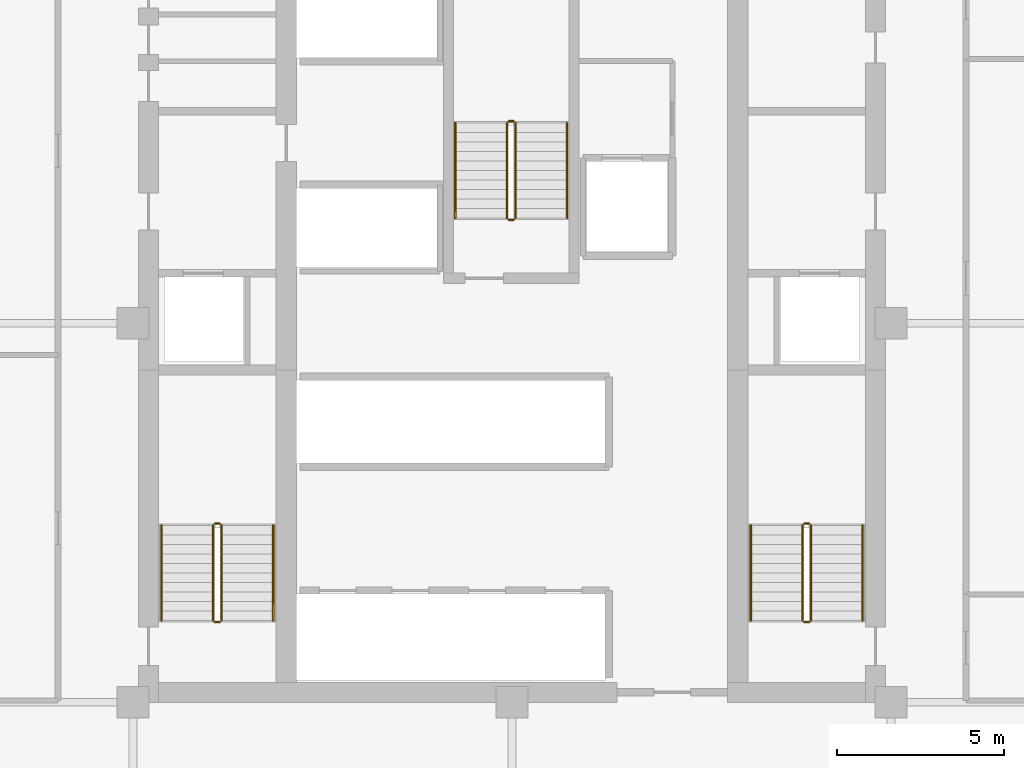
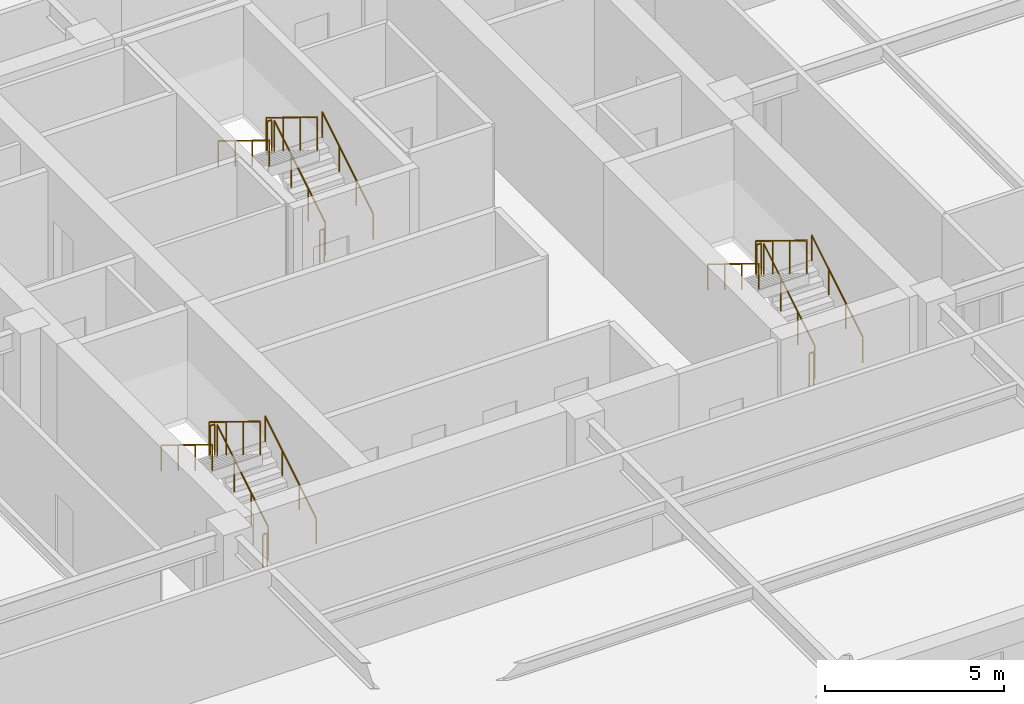
# One storey, part 9 of 9: 18 railings.
"""IFC4 building model written with IfcOpenShell, lengths in metres."""

from ifc_helpers import new_model, si_unit, direction, frame, origin, origin_2d, place, context, subcontext, project, spatial, circle, extrude, material, type_object, element, save


model = new_model("IFC4")

# Units and contexts
model_context = context("Model", 3, precision=1e-05, world=origin(), true_north=direction((0.0, 1.0)))
body_context = subcontext(model_context, "Body", "Model", "MODEL_VIEW")
ifc_project = project(units=[si_unit("LENGTHUNIT", "METRE"), si_unit("AREAUNIT", "SQUARE_METRE"), si_unit("VOLUMEUNIT", "CUBIC_METRE"), si_unit("PLANEANGLEUNIT", "RADIAN"), si_unit("MASSUNIT", "GRAM", prefix="KILO")], contexts=[model_context])

# Site, building, storey
site_placement = place(None, origin())
site = spatial("IfcSite", under=ifc_project, at=site_placement, CompositionType="ELEMENT")
building_placement = place(site_placement, origin())
building = spatial("IfcBuilding", under=site, at=building_placement, Name="Nhamokura Convention Tower", CompositionType="ELEMENT")
storey_placement = place(building_placement, frame((0.0, 0.0, 118.300048828125)))
storey = spatial("IfcBuildingStorey", under=building, at=storey_placement, Name="L28", CompositionType="ELEMENT", Elevation=118.300048828125)

# Railings
ifc_material_1 = material(Name="Anodised bronze stainless steel", Category="steel")
railing_type_1 = type_object("IfcRailingType", Name="StairWallHandrail_900", PredefinedType="HANDRAIL", material=ifc_material_1)
railing_1_placement = place(storey_placement, frame((24.85009765625, 23.10009765625, 0.175048828125)))
element("IfcRailing", 1, at=railing_1_placement, inside=storey, type_object=railing_type_1, Name="L28 ST-01 stair handrail 1", PredefinedType="HANDRAIL", context=body_context, shape_type="SweptSolid", body=[
    extrude(circle(Radius=0.02392578125, at=origin_2d()), frame((0.0, 0.0, 0.8759765625), z_axis=(0.0, 0.852159232446, 0.523282564737), x_axis=(-1.0, 0.0, 0.0)), (0.0, 0.0, 1.0), 3.34423828125),
    extrude(circle(Radius=0.02099609375, at=origin_2d()), origin(), (0.0, 0.0, 1.0), 0.851806640625),
    extrude(circle(Radius=0.02099609375, at=origin_2d()), frame((0.0, 0.949951171875, 0.583251953125)), (0.0, 0.0, 1.0), 0.851806640625),
    extrude(circle(Radius=0.02099609375, at=origin_2d()), frame((0.0, 1.89990234375, 1.166748046875)), (0.0, 0.0, 1.0), 0.851806640625),
    extrude(circle(Radius=0.02099609375, at=origin_2d()), frame((0.0, 2.849853515625, 1.75)), (0.0, 0.0, 1.0), 0.851806640625),
])
railing_2_placement = place(storey_placement, frame((21.5, 25.949951171875, 2.099853515625)))
element("IfcRailing", 2, at=railing_2_placement, inside=storey, type_object=railing_type_1, Name="L28 ST-01 stair handrail 2", PredefinedType="HANDRAIL", context=body_context, shape_type="SweptSolid", body=[
    extrude(circle(Radius=0.02392578125, at=origin_2d()), frame((0.0, 0.0, 0.8759765625), z_axis=(0.0, -0.852159232446, 0.523282564737), x_axis=(1.0, 0.0, 0.0)), (0.0, 0.0, 1.0), 3.34423828125),
    extrude(circle(Radius=0.02099609375, at=origin_2d()), origin(), (0.0, 0.0, 1.0), 0.851806640625),
    extrude(circle(Radius=0.02099609375, at=origin_2d()), frame((0.0, -0.949951171875, 0.583251953125)), (0.0, 0.0, 1.0), 0.851806640625),
    extrude(circle(Radius=0.02099609375, at=origin_2d()), frame((0.0, -1.89990234375, 1.166748046875)), (0.0, 0.0, 1.0), 0.851806640625),
    extrude(circle(Radius=0.02099609375, at=origin_2d()), frame((0.0, -2.849853515625, 1.75)), (0.0, 0.0, 1.0), 0.851806640625),
])
railing_3_placement = place(storey_placement, frame((42.5, 23.10009765625, 0.175048828125)))
element("IfcRailing", 3, at=railing_3_placement, inside=storey, type_object=railing_type_1, Name="L28 ST-02 stair handrail 1", PredefinedType="HANDRAIL", context=body_context, shape_type="SweptSolid", body=[
    extrude(circle(Radius=0.02392578125, at=origin_2d()), frame((0.0, 0.0, 0.8759765625), z_axis=(0.0, 0.852159232446, 0.523282564737), x_axis=(-1.0, 0.0, 0.0)), (0.0, 0.0, 1.0), 3.34423828125),
    extrude(circle(Radius=0.02099609375, at=origin_2d()), origin(), (0.0, 0.0, 1.0), 0.851806640625),
    extrude(circle(Radius=0.02099609375, at=origin_2d()), frame((0.0, 0.949951171875, 0.583251953125)), (0.0, 0.0, 1.0), 0.851806640625),
    extrude(circle(Radius=0.02099609375, at=origin_2d()), frame((0.0, 1.89990234375, 1.166748046875)), (0.0, 0.0, 1.0), 0.851806640625),
    extrude(circle(Radius=0.02099609375, at=origin_2d()), frame((0.0, 2.849853515625, 1.75)), (0.0, 0.0, 1.0), 0.851806640625),
])
railing_4_placement = place(storey_placement, frame((39.14990234375, 25.949951171875, 2.099853515625)))
element("IfcRailing", 4, at=railing_4_placement, inside=storey, type_object=railing_type_1, Name="L28 ST-02 stair handrail 2", PredefinedType="HANDRAIL", context=body_context, shape_type="SweptSolid", body=[
    extrude(circle(Radius=0.02392578125, at=origin_2d()), frame((0.0, 0.0, 0.8759765625), z_axis=(0.0, -0.852159232446, 0.523282564737), x_axis=(1.0, 0.0, 0.0)), (0.0, 0.0, 1.0), 3.34423828125),
    extrude(circle(Radius=0.02099609375, at=origin_2d()), origin(), (0.0, 0.0, 1.0), 0.851806640625),
    extrude(circle(Radius=0.02099609375, at=origin_2d()), frame((0.0, -0.949951171875, 0.583251953125)), (0.0, 0.0, 1.0), 0.851806640625),
    extrude(circle(Radius=0.02099609375, at=origin_2d()), frame((0.0, -1.89990234375, 1.166748046875)), (0.0, 0.0, 1.0), 0.851806640625),
    extrude(circle(Radius=0.02099609375, at=origin_2d()), frame((0.0, -2.849853515625, 1.75)), (0.0, 0.0, 1.0), 0.851806640625),
])
railing_5_placement = place(storey_placement, frame((33.64990234375, 35.14990234375, 0.175048828125)))
element("IfcRailing", 5, at=railing_5_placement, inside=storey, type_object=railing_type_1, Name="L28 ST-03 stair handrail 1", PredefinedType="HANDRAIL", context=body_context, shape_type="SweptSolid", body=[
    extrude(circle(Radius=0.02392578125, at=origin_2d()), frame((0.0, 0.0, 0.8759765625), z_axis=(0.0, 0.852179220489, 0.52325001306), x_axis=(-1.0, 0.0, 0.0)), (0.0, 0.0, 1.0), 3.344482421875),
    extrude(circle(Radius=0.02099609375, at=origin_2d()), origin(), (0.0, 0.0, 1.0), 0.851806640625),
    extrude(circle(Radius=0.02099609375, at=origin_2d()), frame((0.0, 0.949951171875, 0.583251953125)), (0.0, 0.0, 1.0), 0.851806640625),
    extrude(circle(Radius=0.02099609375, at=origin_2d()), frame((0.0, 1.900146484375, 1.166748046875)), (0.0, 0.0, 1.0), 0.851806640625),
    extrude(circle(Radius=0.02099609375, at=origin_2d()), frame((0.0, 2.85009765625, 1.75)), (0.0, 0.0, 1.0), 0.851806640625),
])
railing_6_placement = place(storey_placement, frame((30.300048828125, 38.0, 2.099853515625)))
element("IfcRailing", 6, at=railing_6_placement, inside=storey, type_object=railing_type_1, Name="L28 ST-03 stair handrail 2", PredefinedType="HANDRAIL", context=body_context, shape_type="SweptSolid", body=[
    extrude(circle(Radius=0.02392578125, at=origin_2d()), frame((0.0, 0.0, 0.8759765625), z_axis=(0.0, -0.852179220489, 0.52325001306), x_axis=(1.0, 0.0, 0.0)), (0.0, 0.0, 1.0), 3.344482421875),
    extrude(circle(Radius=0.02099609375, at=origin_2d()), origin(), (0.0, 0.0, 1.0), 0.851806640625),
    extrude(circle(Radius=0.02099609375, at=origin_2d()), frame((0.0, -0.949951171875, 0.583251953125)), (0.0, 0.0, 1.0), 0.851806640625),
    extrude(circle(Radius=0.02099609375, at=origin_2d()), frame((0.0, -1.900146484375, 1.166748046875)), (0.0, 0.0, 1.0), 0.851806640625),
    extrude(circle(Radius=0.02099609375, at=origin_2d()), frame((0.0, -2.85009765625, 1.75)), (0.0, 0.0, 1.0), 0.851806640625),
])
ifc_material_2 = material(Name="Painted tubular steel", Category="steel")
railing_type_2 = type_object("IfcRailingType", Name="StairWellGuardrail_1150", PredefinedType="GUARDRAIL", material=ifc_material_2)
railing_7_placement = place(storey_placement, frame((23.300048828125, 23.10009765625, 0.175048828125)))
element("IfcRailing", 7, at=railing_7_placement, inside=storey, type_object=railing_type_2, Name="L28 ST-01 stair guard 1", PredefinedType="GUARDRAIL", context=body_context, shape_type="SweptSolid", body=[
    extrude(circle(Radius=0.02392578125, at=origin_2d()), frame((0.0, 0.0, 1.1259765625), z_axis=(0.0, 0.852159232446, 0.523282564737), x_axis=(-1.0, 0.0, 0.0)), (0.0, 0.0, 1.0), 3.34423828125),
    extrude(circle(Radius=0.02099609375, at=origin_2d()), origin(), (0.0, 0.0, 1.0), 1.101806640625),
    extrude(circle(Radius=0.02099609375, at=origin_2d()), frame((0.0, 0.949951171875, 0.583251953125)), (0.0, 0.0, 1.0), 1.101806640625),
    extrude(circle(Radius=0.02099609375, at=origin_2d()), frame((0.0, 1.89990234375, 1.166748046875)), (0.0, 0.0, 1.0), 1.101806640625),
    extrude(circle(Radius=0.02099609375, at=origin_2d()), frame((0.0, 2.849853515625, 1.75)), (0.0, 0.0, 1.0), 1.101806640625),
])
railing_8_placement = place(storey_placement, frame((23.25, 26.0, 1.925048828125)))
element("IfcRailing", 8, at=railing_8_placement, inside=storey, type_object=railing_type_2, Name="L28 ST-01 stair guard 2", PredefinedType="GUARDRAIL", context=body_context, shape_type="SweptSolid", body=[
    extrude(circle(Radius=0.02392578125, at=origin_2d()), frame((0.0, 0.0, 1.1259765625), z_axis=(-1.0, 0.0, 0.0), x_axis=(0.0, -1.0, 0.0)), (0.0, 0.0, 1.0), 0.14990234375),
    extrude(circle(Radius=0.02099609375, at=origin_2d()), origin(), (0.0, 0.0, 1.0), 1.101806640625),
    extrude(circle(Radius=0.02099609375, at=origin_2d()), frame((-0.14990234375, 0.0, 0.0)), (0.0, 0.0, 1.0), 1.101806640625),
])
railing_9_placement = place(storey_placement, frame((23.050048828125, 25.949951171875, 2.099853515625)))
element("IfcRailing", 9, at=railing_9_placement, inside=storey, type_object=railing_type_2, Name="L28 ST-01 stair guard 3", PredefinedType="GUARDRAIL", context=body_context, shape_type="SweptSolid", body=[
    extrude(circle(Radius=0.02392578125, at=origin_2d()), frame((0.0, 0.0, 1.1259765625), z_axis=(0.0, -0.852159232446, 0.523282564737), x_axis=(1.0, 0.0, 0.0)), (0.0, 0.0, 1.0), 3.34423828125),
    extrude(circle(Radius=0.02099609375, at=origin_2d()), origin(), (0.0, 0.0, 1.0), 1.101806640625),
    extrude(circle(Radius=0.02099609375, at=origin_2d()), frame((0.0, -0.949951171875, 0.583251953125)), (0.0, 0.0, 1.0), 1.101806640625),
    extrude(circle(Radius=0.02099609375, at=origin_2d()), frame((0.0, -1.89990234375, 1.166748046875)), (0.0, 0.0, 1.0), 1.101806640625),
    extrude(circle(Radius=0.02099609375, at=origin_2d()), frame((0.0, -2.849853515625, 1.75)), (0.0, 0.0, 1.0), 1.101806640625),
])
railing_10_placement = place(storey_placement, frame((23.25, 23.050048828125, 0.0)))
element("IfcRailing", 10, at=railing_10_placement, inside=storey, type_object=railing_type_2, Name="L28 ST-01 stair guard 4", PredefinedType="GUARDRAIL", context=body_context, shape_type="SweptSolid", body=[
    extrude(circle(Radius=0.02392578125, at=origin_2d()), frame((0.0, 0.0, 1.1259765625), z_axis=(-1.0, 0.0, 0.0), x_axis=(0.0, -1.0, 0.0)), (0.0, 0.0, 1.0), 0.14990234375),
    extrude(circle(Radius=0.02099609375, at=origin_2d()), origin(), (0.0, 0.0, 1.0), 1.101806640625),
    extrude(circle(Radius=0.02099609375, at=origin_2d()), frame((-0.14990234375, 0.0, 0.0)), (0.0, 0.0, 1.0), 1.101806640625),
])
railing_11_placement = place(storey_placement, frame((40.949951171875, 23.10009765625, 0.175048828125)))
element("IfcRailing", 11, at=railing_11_placement, inside=storey, type_object=railing_type_2, Name="L28 ST-02 stair guard 1", PredefinedType="GUARDRAIL", context=body_context, shape_type="SweptSolid", body=[
    extrude(circle(Radius=0.02392578125, at=origin_2d()), frame((0.0, 0.0, 1.1259765625), z_axis=(0.0, 0.852159232446, 0.523282564737), x_axis=(-1.0, 0.0, 0.0)), (0.0, 0.0, 1.0), 3.34423828125),
    extrude(circle(Radius=0.02099609375, at=origin_2d()), origin(), (0.0, 0.0, 1.0), 1.101806640625),
    extrude(circle(Radius=0.02099609375, at=origin_2d()), frame((0.0, 0.949951171875, 0.583251953125)), (0.0, 0.0, 1.0), 1.101806640625),
    extrude(circle(Radius=0.02099609375, at=origin_2d()), frame((0.0, 1.89990234375, 1.166748046875)), (0.0, 0.0, 1.0), 1.101806640625),
    extrude(circle(Radius=0.02099609375, at=origin_2d()), frame((0.0, 2.849853515625, 1.75)), (0.0, 0.0, 1.0), 1.101806640625),
])
railing_12_placement = place(storey_placement, frame((40.89990234375, 26.0, 1.925048828125)))
element("IfcRailing", 12, at=railing_12_placement, inside=storey, type_object=railing_type_2, Name="L28 ST-02 stair guard 2", PredefinedType="GUARDRAIL", context=body_context, shape_type="SweptSolid", body=[
    extrude(circle(Radius=0.02392578125, at=origin_2d()), frame((0.0, 0.0, 1.1259765625), z_axis=(-1.0, 0.0, 0.0), x_axis=(0.0, -1.0, 0.0)), (0.0, 0.0, 1.0), 0.14990234375),
    extrude(circle(Radius=0.02099609375, at=origin_2d()), origin(), (0.0, 0.0, 1.0), 1.101806640625),
    extrude(circle(Radius=0.02099609375, at=origin_2d()), frame((-0.14990234375, 0.0, 0.0)), (0.0, 0.0, 1.0), 1.101806640625),
])
railing_13_placement = place(storey_placement, frame((40.699951171875, 25.949951171875, 2.099853515625)))
element("IfcRailing", 13, at=railing_13_placement, inside=storey, type_object=railing_type_2, Name="L28 ST-02 stair guard 3", PredefinedType="GUARDRAIL", context=body_context, shape_type="SweptSolid", body=[
    extrude(circle(Radius=0.02392578125, at=origin_2d()), frame((0.0, 0.0, 1.1259765625), z_axis=(0.0, -0.852159232446, 0.523282564737), x_axis=(1.0, 0.0, 0.0)), (0.0, 0.0, 1.0), 3.34423828125),
    extrude(circle(Radius=0.02099609375, at=origin_2d()), origin(), (0.0, 0.0, 1.0), 1.101806640625),
    extrude(circle(Radius=0.02099609375, at=origin_2d()), frame((0.0, -0.949951171875, 0.583251953125)), (0.0, 0.0, 1.0), 1.101806640625),
    extrude(circle(Radius=0.02099609375, at=origin_2d()), frame((0.0, -1.89990234375, 1.166748046875)), (0.0, 0.0, 1.0), 1.101806640625),
    extrude(circle(Radius=0.02099609375, at=origin_2d()), frame((0.0, -2.849853515625, 1.75)), (0.0, 0.0, 1.0), 1.101806640625),
])
railing_14_placement = place(storey_placement, frame((40.89990234375, 23.050048828125, 0.0)))
element("IfcRailing", 14, at=railing_14_placement, inside=storey, type_object=railing_type_2, Name="L28 ST-02 stair guard 4", PredefinedType="GUARDRAIL", context=body_context, shape_type="SweptSolid", body=[
    extrude(circle(Radius=0.02392578125, at=origin_2d()), frame((0.0, 0.0, 1.1259765625), z_axis=(-1.0, 0.0, 0.0), x_axis=(0.0, -1.0, 0.0)), (0.0, 0.0, 1.0), 0.14990234375),
    extrude(circle(Radius=0.02099609375, at=origin_2d()), origin(), (0.0, 0.0, 1.0), 1.101806640625),
    extrude(circle(Radius=0.02099609375, at=origin_2d()), frame((-0.14990234375, 0.0, 0.0)), (0.0, 0.0, 1.0), 1.101806640625),
])
railing_15_placement = place(storey_placement, frame((32.10009765625, 35.14990234375, 0.175048828125)))
element("IfcRailing", 15, at=railing_15_placement, inside=storey, type_object=railing_type_2, Name="L28 ST-03 stair guard 1", PredefinedType="GUARDRAIL", context=body_context, shape_type="SweptSolid", body=[
    extrude(circle(Radius=0.02392578125, at=origin_2d()), frame((0.0, 0.0, 1.1259765625), z_axis=(0.0, 0.852179220489, 0.52325001306), x_axis=(-1.0, 0.0, 0.0)), (0.0, 0.0, 1.0), 3.344482421875),
    extrude(circle(Radius=0.02099609375, at=origin_2d()), origin(), (0.0, 0.0, 1.0), 1.101806640625),
    extrude(circle(Radius=0.02099609375, at=origin_2d()), frame((0.0, 0.949951171875, 0.583251953125)), (0.0, 0.0, 1.0), 1.101806640625),
    extrude(circle(Radius=0.02099609375, at=origin_2d()), frame((0.0, 1.900146484375, 1.166748046875)), (0.0, 0.0, 1.0), 1.101806640625),
    extrude(circle(Radius=0.02099609375, at=origin_2d()), frame((0.0, 2.85009765625, 1.75)), (0.0, 0.0, 1.0), 1.101806640625),
])
railing_16_placement = place(storey_placement, frame((32.050048828125, 38.050048828125, 1.925048828125)))
element("IfcRailing", 16, at=railing_16_placement, inside=storey, type_object=railing_type_2, Name="L28 ST-03 stair guard 2", PredefinedType="GUARDRAIL", context=body_context, shape_type="SweptSolid", body=[
    extrude(circle(Radius=0.02392578125, at=origin_2d()), frame((0.0, 0.0, 1.1259765625), z_axis=(-1.0, 0.0, 0.0), x_axis=(0.0, -1.0, 0.0)), (0.0, 0.0, 1.0), 0.150146484375),
    extrude(circle(Radius=0.02099609375, at=origin_2d()), origin(), (0.0, 0.0, 1.0), 1.101806640625),
    extrude(circle(Radius=0.02099609375, at=origin_2d()), frame((-0.150146484375, 0.0, 0.0)), (0.0, 0.0, 1.0), 1.101806640625),
])
railing_17_placement = place(storey_placement, frame((31.85009765625, 38.0, 2.099853515625)))
element("IfcRailing", 17, at=railing_17_placement, inside=storey, type_object=railing_type_2, Name="L28 ST-03 stair guard 3", PredefinedType="GUARDRAIL", context=body_context, shape_type="SweptSolid", body=[
    extrude(circle(Radius=0.02392578125, at=origin_2d()), frame((0.0, 0.0, 1.1259765625), z_axis=(0.0, -0.852179220489, 0.52325001306), x_axis=(1.0, 0.0, 0.0)), (0.0, 0.0, 1.0), 3.344482421875),
    extrude(circle(Radius=0.02099609375, at=origin_2d()), origin(), (0.0, 0.0, 1.0), 1.101806640625),
    extrude(circle(Radius=0.02099609375, at=origin_2d()), frame((0.0, -0.949951171875, 0.583251953125)), (0.0, 0.0, 1.0), 1.101806640625),
    extrude(circle(Radius=0.02099609375, at=origin_2d()), frame((0.0, -1.900146484375, 1.166748046875)), (0.0, 0.0, 1.0), 1.101806640625),
    extrude(circle(Radius=0.02099609375, at=origin_2d()), frame((0.0, -2.85009765625, 1.75)), (0.0, 0.0, 1.0), 1.101806640625),
])
railing_18_placement = place(storey_placement, frame((32.050048828125, 35.10009765625, 0.0)))
element("IfcRailing", 18, at=railing_18_placement, inside=storey, type_object=railing_type_2, Name="L28 ST-03 stair guard 4", PredefinedType="GUARDRAIL", context=body_context, shape_type="SweptSolid", body=[
    extrude(circle(Radius=0.02392578125, at=origin_2d()), frame((0.0, 0.0, 1.1259765625), z_axis=(-1.0, 0.0, 0.0), x_axis=(0.0, -1.0, 0.0)), (0.0, 0.0, 1.0), 0.150146484375),
    extrude(circle(Radius=0.02099609375, at=origin_2d()), origin(), (0.0, 0.0, 1.0), 1.101806640625),
    extrude(circle(Radius=0.02099609375, at=origin_2d()), frame((-0.150146484375, 0.0, 0.0)), (0.0, 0.0, 1.0), 1.101806640625),
])

save(model, "model.ifc")
